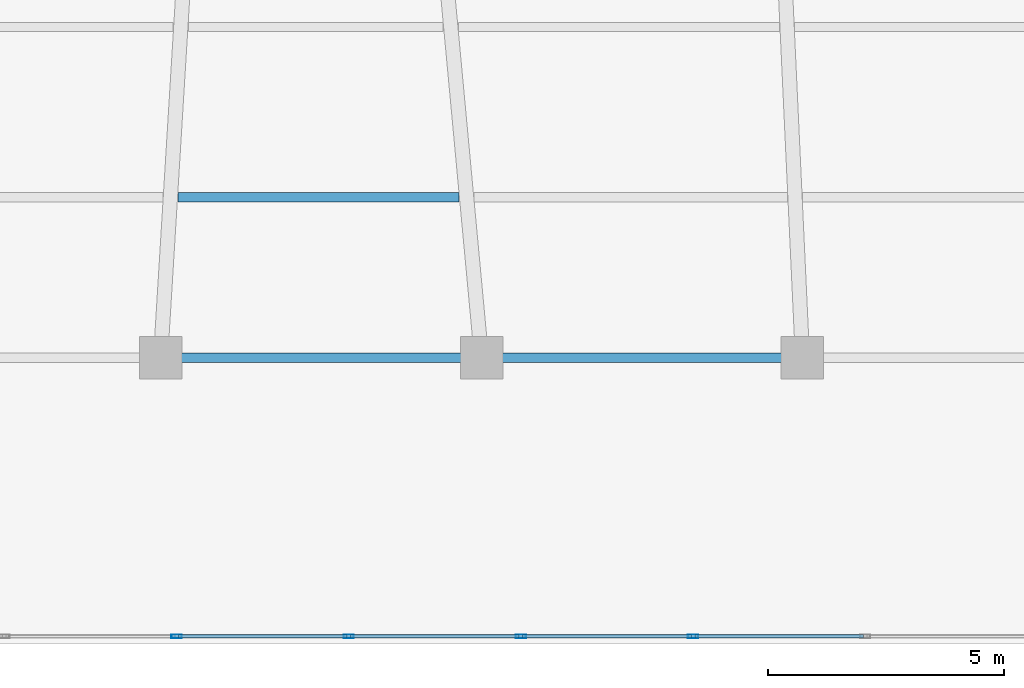
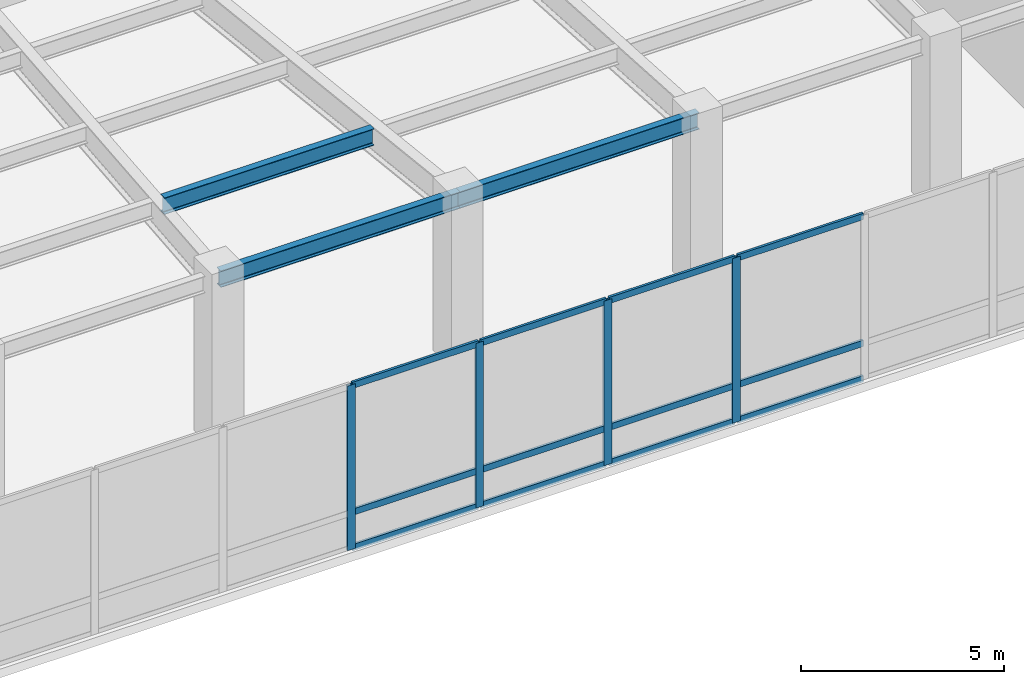
# One storey, part 4 of 19: 16 members, 3 beams, 1 element without a shape of its own.
"""IFC4 building model written with IfcOpenShell, lengths in metres."""

from ifc_helpers import new_model, si_unit, direction, frame, origin, origin_2d, place, context, subcontext, project, spatial, hollow_rectangle, i_section, extrude, material, material_profile, profile_set, type_object, element, aggregate, save


model = new_model("IFC4")

# Units and contexts
model_context = context("Model", 3, precision=1e-05, world=origin(), true_north=direction((0.0, 1.0)))
body_context = subcontext(model_context, "Body", "Model", "MODEL_VIEW")
ifc_project = project(units=[si_unit("LENGTHUNIT", "METRE"), si_unit("AREAUNIT", "SQUARE_METRE"), si_unit("VOLUMEUNIT", "CUBIC_METRE"), si_unit("PLANEANGLEUNIT", "RADIAN"), si_unit("MASSUNIT", "GRAM", prefix="KILO")], contexts=[model_context])

# Site, building, storey
site_placement = place(None, origin())
site = spatial("IfcSite", under=ifc_project, at=site_placement, CompositionType="ELEMENT")
building_placement = place(site_placement, origin())
building = spatial("IfcBuilding", under=site, at=building_placement, Name="Yelkora Congress Tower", CompositionType="ELEMENT")
storey_placement = place(building_placement, frame((0.0, 0.0, 5.199951171875)))
storey = spatial("IfcBuildingStorey", under=building, at=storey_placement, Name="L01", CompositionType="ELEMENT", Elevation=5.199951171875)

# Beams
ifc_material_1 = material(Name="Steel S355J2", Category="steel")
ifc_material_profile_1 = material_profile(ifc_material_1, i_section(OverallWidth=0.199951171875, OverallDepth=0.5, WebThickness=0.01025390625, FlangeThickness=0.01611328125, FilletRadius=0.02099609375, at=origin_2d()), Name="IPE 500")
ifc_profile_set_1 = profile_set([ifc_material_profile_1], Name="Steel S355J2")
beam_type_1 = type_object("IfcBeamType", Name="BM-JOIST-IPE500", PredefinedType="JOIST", material=ifc_profile_set_1)
beam_placement = place(storey_placement, frame((18.397705078125, 9.449951171875, 4.68994140625), z_axis=(1.0, 0.0, 0.0), x_axis=(0.0, 1.0, 0.0)))
element("IfcBeam", 1, at=beam_placement, inside=storey, type_object=beam_type_1, Name="L01 Composite Floor Joist 3", PredefinedType="JOIST", context=body_context, shape_type="SweptSolid", body=[
    extrude(i_section(OverallWidth=0.199951171875, OverallDepth=0.5, WebThickness=0.01025390625, FlangeThickness=0.01611328125, FilletRadius=0.02099609375, at=origin_2d()), origin(), (0.0, 0.0, 1.0), 5.9462890625),
])
ifc_material_profile_2 = material_profile(ifc_material_1, i_section(OverallWidth=0.199951171875, OverallDepth=0.5, WebThickness=0.01025390625, FlangeThickness=0.01611328125, FilletRadius=0.02099609375, at=origin_2d()), Name="IPE 500")
ifc_profile_set_2 = profile_set([ifc_material_profile_2], Name="Steel S355J2")
beam_type_2 = type_object("IfcBeamType", Name="BM-SPAN-IPE500B", PredefinedType="BEAM", material=ifc_profile_set_2)
for number, where, z_axis, x_axis, name in (
    (2, (18.030029296875, 6.050048828125, 4.68994140625), (1.0, 0.0, 0.0), (0.0, 1.0, 0.0), "L01 Perimeter Beam 4"),
    (3, (24.820068359375, 6.050048828125, 4.68994140625), (1.0, 0.0, 0.0), (0.0, 1.0, 0.0), "L01 Perimeter Beam 5"),
):
    element("IfcBeam", number, at=place(storey_placement, frame(where, z_axis=z_axis, x_axis=x_axis)), inside=storey, type_object=beam_type_2, Name=name, PredefinedType="BEAM", context=body_context, shape_type="SweptSolid", body=[
        extrude(i_section(OverallWidth=0.199951171875, OverallDepth=0.5, WebThickness=0.01025390625, FlangeThickness=0.01611328125, FilletRadius=0.02099609375, at=origin_2d()), origin(), (0.0, 0.0, 1.0), 6.7900390625),
    ])

# Curtain wall, members
ifc_material_2 = material(Name="Anodised aluminium and insulated glass", Category="aluminium")
curtain_wall_type = type_object("IfcCurtainWallType", Name="CW-SYS-POD", PredefinedType="NOTDEFINED", material=ifc_material_2)
curtain_wall_placement = place(storey_placement, origin())
curtain_wall = element("IfcCurtainWall", 4, at=curtain_wall_placement, inside=storey, type_object=curtain_wall_type, Name="L01 Podium South Curtain Wall", PredefinedType="NOTDEFINED")
ifc_material_3 = material(Name="Anodised aluminium 6063-T6", Category="aluminium")
ifc_material_profile_3 = material_profile(ifc_material_3, hollow_rectangle(XDim=0.074951171875, YDim=0.219970703125, WallThickness=0.0048828125, at=origin_2d()), Name="ALU 75x220x5")
ifc_profile_set_3 = profile_set([ifc_material_profile_3], Name="Anodised aluminium 6063-T6")
member_type_1 = type_object("IfcMemberType", Name="MEM-ML-POD", PredefinedType="MULLION", material=ifc_profile_set_3)
member_1_placement = place(storey_placement, frame((29.295166015625, 0.159912109375, 0.0), z_axis=(0.0, 0.0, 1.0), x_axis=(0.0, -1.0, 0.0)))
member_1 = element("IfcMember", 5, at=member_1_placement, type_object=member_type_1, Name="CW-POD mullion 14", PredefinedType="MULLION", context=body_context, shape_type="SweptSolid", body=[
    extrude(hollow_rectangle(XDim=0.074951171875, YDim=0.219970703125, WallThickness=0.0048828125, at=origin_2d()), origin(), (0.0, 0.0, 1.0), 4.93994140625),
])
member_2_placement = place(storey_placement, frame((25.6533203125, 0.159912109375, 0.0), z_axis=(0.0, 0.0, 1.0), x_axis=(0.0, -1.0, 0.0)))
member_2 = element("IfcMember", 6, at=member_2_placement, type_object=member_type_1, Name="CW-POD mullion 15", PredefinedType="MULLION", context=body_context, shape_type="SweptSolid", body=[
    extrude(hollow_rectangle(XDim=0.074951171875, YDim=0.219970703125, WallThickness=0.0048828125, at=origin_2d()), origin(), (0.0, 0.0, 1.0), 4.93994140625),
])
member_3_placement = place(storey_placement, frame((22.011474609375, 0.159912109375, 0.0), z_axis=(0.0, 0.0, 1.0), x_axis=(0.0, -1.0, 0.0)))
member_3 = element("IfcMember", 7, at=member_3_placement, type_object=member_type_1, Name="CW-POD mullion 16", PredefinedType="MULLION", context=body_context, shape_type="SweptSolid", body=[
    extrude(hollow_rectangle(XDim=0.074951171875, YDim=0.219970703125, WallThickness=0.0048828125, at=origin_2d()), origin(), (0.0, 0.0, 1.0), 4.93994140625),
])
member_4_placement = place(storey_placement, frame((18.36962890625, 0.159912109375, 0.0), z_axis=(0.0, 0.0, 1.0), x_axis=(0.0, -1.0, 0.0)))
member_4 = element("IfcMember", 8, at=member_4_placement, type_object=member_type_1, Name="CW-POD mullion 17", PredefinedType="MULLION", context=body_context, shape_type="SweptSolid", body=[
    extrude(hollow_rectangle(XDim=0.074951171875, YDim=0.219970703125, WallThickness=0.0048828125, at=origin_2d()), origin(), (0.0, 0.0, 1.0), 4.93994140625),
])
ifc_material_profile_4 = material_profile(ifc_material_3, hollow_rectangle(XDim=0.070068359375, YDim=0.18994140625, WallThickness=0.00390625, at=origin_2d()), Name="ALU 70x190x4")
ifc_profile_set_4 = profile_set([ifc_material_profile_4], Name="Anodised aluminium 6063-T6")
member_type_2 = type_object("IfcMemberType", Name="MEM-TR-POD", PredefinedType="USERDEFINED", material=ifc_profile_set_4)
member_5_placement = place(storey_placement, frame((32.899658203125, 0.159912109375, 0.03515625), z_axis=(-1.0, 0.0, 0.0), x_axis=(0.0, -1.0, 0.0)))
member_5 = element("IfcMember", 9, at=member_5_placement, type_object=member_type_2, Name="CW-POD transom 13.1", ObjectType="TRANSOM", PredefinedType="USERDEFINED", context=body_context, shape_type="SweptSolid", body=[
    extrude(hollow_rectangle(XDim=0.070068359375, YDim=0.18994140625, WallThickness=0.00390625, at=origin_2d()), origin(), (0.0, 0.0, 1.0), 3.56689453125),
])
member_6_placement = place(storey_placement, frame((32.899658203125, 0.159912109375, 1.10009765625), z_axis=(-1.0, 0.0, 0.0), x_axis=(0.0, -1.0, 0.0)))
member_6 = element("IfcMember", 10, at=member_6_placement, type_object=member_type_2, Name="CW-POD transom 13.2", ObjectType="TRANSOM", PredefinedType="USERDEFINED", context=body_context, shape_type="SweptSolid", body=[
    extrude(hollow_rectangle(XDim=0.070068359375, YDim=0.18994140625, WallThickness=0.00390625, at=origin_2d()), origin(), (0.0, 0.0, 1.0), 3.56689453125),
])
member_7_placement = place(storey_placement, frame((32.899658203125, 0.159912109375, 4.905029296875), z_axis=(-1.0, 0.0, 0.0), x_axis=(0.0, -1.0, 0.0)))
member_7 = element("IfcMember", 11, at=member_7_placement, type_object=member_type_2, Name="CW-POD transom 13.3", ObjectType="TRANSOM", PredefinedType="USERDEFINED", context=body_context, shape_type="SweptSolid", body=[
    extrude(hollow_rectangle(XDim=0.070068359375, YDim=0.18994140625, WallThickness=0.00390625, at=origin_2d()), origin(), (0.0, 0.0, 1.0), 3.56689453125),
])
member_8_placement = place(storey_placement, frame((29.2578125, 0.159912109375, 0.03515625), z_axis=(-1.0, 0.0, 0.0), x_axis=(0.0, -1.0, 0.0)))
member_8 = element("IfcMember", 12, at=member_8_placement, type_object=member_type_2, Name="CW-POD transom 14.1", ObjectType="TRANSOM", PredefinedType="USERDEFINED", context=body_context, shape_type="SweptSolid", body=[
    extrude(hollow_rectangle(XDim=0.070068359375, YDim=0.18994140625, WallThickness=0.00390625, at=origin_2d()), origin(), (0.0, 0.0, 1.0), 3.56689453125),
])
member_9_placement = place(storey_placement, frame((29.2578125, 0.159912109375, 1.10009765625), z_axis=(-1.0, 0.0, 0.0), x_axis=(0.0, -1.0, 0.0)))
member_9 = element("IfcMember", 13, at=member_9_placement, type_object=member_type_2, Name="CW-POD transom 14.2", ObjectType="TRANSOM", PredefinedType="USERDEFINED", context=body_context, shape_type="SweptSolid", body=[
    extrude(hollow_rectangle(XDim=0.070068359375, YDim=0.18994140625, WallThickness=0.00390625, at=origin_2d()), origin(), (0.0, 0.0, 1.0), 3.56689453125),
])
member_10_placement = place(storey_placement, frame((29.2578125, 0.159912109375, 4.905029296875), z_axis=(-1.0, 0.0, 0.0), x_axis=(0.0, -1.0, 0.0)))
member_10 = element("IfcMember", 14, at=member_10_placement, type_object=member_type_2, Name="CW-POD transom 14.3", ObjectType="TRANSOM", PredefinedType="USERDEFINED", context=body_context, shape_type="SweptSolid", body=[
    extrude(hollow_rectangle(XDim=0.070068359375, YDim=0.18994140625, WallThickness=0.00390625, at=origin_2d()), origin(), (0.0, 0.0, 1.0), 3.56689453125),
])
member_11_placement = place(storey_placement, frame((25.61572265625, 0.159912109375, 0.03515625), z_axis=(-1.0, 0.0, 0.0), x_axis=(0.0, -1.0, 0.0)))
member_11 = element("IfcMember", 15, at=member_11_placement, type_object=member_type_2, Name="CW-POD transom 15.1", ObjectType="TRANSOM", PredefinedType="USERDEFINED", context=body_context, shape_type="SweptSolid", body=[
    extrude(hollow_rectangle(XDim=0.070068359375, YDim=0.18994140625, WallThickness=0.00390625, at=origin_2d()), origin(), (0.0, 0.0, 1.0), 3.56689453125),
])
member_12_placement = place(storey_placement, frame((25.61572265625, 0.159912109375, 1.10009765625), z_axis=(-1.0, 0.0, 0.0), x_axis=(0.0, -1.0, 0.0)))
member_12 = element("IfcMember", 16, at=member_12_placement, type_object=member_type_2, Name="CW-POD transom 15.2", ObjectType="TRANSOM", PredefinedType="USERDEFINED", context=body_context, shape_type="SweptSolid", body=[
    extrude(hollow_rectangle(XDim=0.070068359375, YDim=0.18994140625, WallThickness=0.00390625, at=origin_2d()), origin(), (0.0, 0.0, 1.0), 3.56689453125),
])
member_13_placement = place(storey_placement, frame((25.61572265625, 0.159912109375, 4.905029296875), z_axis=(-1.0, 0.0, 0.0), x_axis=(0.0, -1.0, 0.0)))
member_13 = element("IfcMember", 17, at=member_13_placement, type_object=member_type_2, Name="CW-POD transom 15.3", ObjectType="TRANSOM", PredefinedType="USERDEFINED", context=body_context, shape_type="SweptSolid", body=[
    extrude(hollow_rectangle(XDim=0.070068359375, YDim=0.18994140625, WallThickness=0.00390625, at=origin_2d()), origin(), (0.0, 0.0, 1.0), 3.56689453125),
])
member_14_placement = place(storey_placement, frame((21.973876953125, 0.159912109375, 0.03515625), z_axis=(-1.0, 0.0, 0.0), x_axis=(0.0, -1.0, 0.0)))
member_14 = element("IfcMember", 18, at=member_14_placement, type_object=member_type_2, Name="CW-POD transom 16.1", ObjectType="TRANSOM", PredefinedType="USERDEFINED", context=body_context, shape_type="SweptSolid", body=[
    extrude(hollow_rectangle(XDim=0.070068359375, YDim=0.18994140625, WallThickness=0.00390625, at=origin_2d()), origin(), (0.0, 0.0, 1.0), 3.56689453125),
])
member_15_placement = place(storey_placement, frame((21.973876953125, 0.159912109375, 1.10009765625), z_axis=(-1.0, 0.0, 0.0), x_axis=(0.0, -1.0, 0.0)))
member_15 = element("IfcMember", 19, at=member_15_placement, type_object=member_type_2, Name="CW-POD transom 16.2", ObjectType="TRANSOM", PredefinedType="USERDEFINED", context=body_context, shape_type="SweptSolid", body=[
    extrude(hollow_rectangle(XDim=0.070068359375, YDim=0.18994140625, WallThickness=0.00390625, at=origin_2d()), origin(), (0.0, 0.0, 1.0), 3.56689453125),
])
member_16_placement = place(storey_placement, frame((21.973876953125, 0.159912109375, 4.905029296875), z_axis=(-1.0, 0.0, 0.0), x_axis=(0.0, -1.0, 0.0)))
member_16 = element("IfcMember", 20, at=member_16_placement, type_object=member_type_2, Name="CW-POD transom 16.3", ObjectType="TRANSOM", PredefinedType="USERDEFINED", context=body_context, shape_type="SweptSolid", body=[
    extrude(hollow_rectangle(XDim=0.070068359375, YDim=0.18994140625, WallThickness=0.00390625, at=origin_2d()), origin(), (0.0, 0.0, 1.0), 3.56689453125),
])
aggregate(curtain_wall, [member_1, member_2, member_3, member_4, member_5, member_6, member_7, member_8, member_9, member_10, member_11, member_12, member_13, member_14, member_15, member_16])

save(model, "model.ifc")
